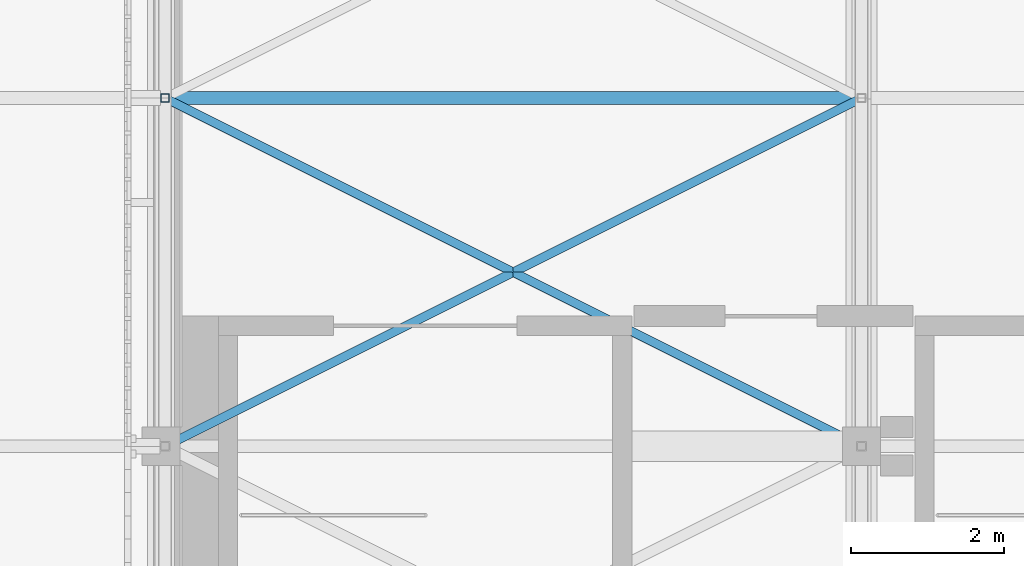
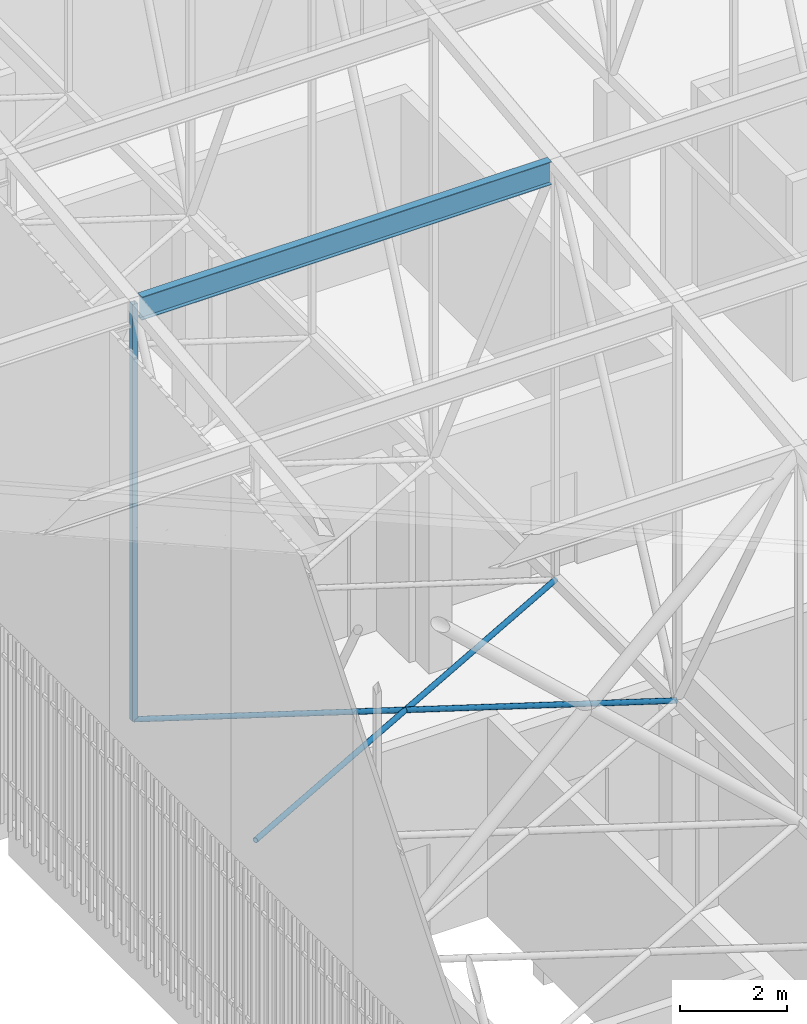
# One storey, part 14 of 500: 4 members.
"""IFC4 building model written with IfcOpenShell, lengths in metres."""

from ifc_helpers import new_model, si_unit, direction, frame, origin, origin_2d, place, context, subcontext, project, spatial, hollow_rectangle, hollow_circle, i_section, extrude, material, material_profile, profile_set, type_object, element, save


model = new_model("IFC4")

# Units and contexts
model_context = context("Model", 3, precision=1e-05, world=origin(), true_north=direction((0.0, 1.0)))
body_context = subcontext(model_context, "Body", "Model", "MODEL_VIEW")
ifc_project = project(units=[si_unit("LENGTHUNIT", "METRE"), si_unit("AREAUNIT", "SQUARE_METRE"), si_unit("VOLUMEUNIT", "CUBIC_METRE"), si_unit("PLANEANGLEUNIT", "RADIAN"), si_unit("MASSUNIT", "GRAM", prefix="KILO")], contexts=[model_context])

# Site, building, storey
site_placement = place(None, origin())
site = spatial("IfcSite", under=ifc_project, at=site_placement, CompositionType="ELEMENT")
building_placement = place(site_placement, origin())
building = spatial("IfcBuilding", under=site, at=building_placement, Name="Shirokan Park Arena", CompositionType="ELEMENT")
storey_placement = place(building_placement, frame((0.0, 0.0, 29.1201171875)))
storey = spatial("IfcBuildingStorey", under=building, at=storey_placement, Name="L06", CompositionType="ELEMENT", Elevation=29.1201171875)

# Members
ifc_material_1 = material(Name="Steel ASTM A500 Grade C", Category="steel")
ifc_material_profile_1 = material_profile(ifc_material_1, hollow_circle(Radius=0.056884765625, WallThickness=0.006103515625, at=origin_2d()), Name="HSS114.3X6")
ifc_profile_set_1 = profile_set([ifc_material_profile_1], Name="Steel ASTM A500 Grade C")
member_type_1 = type_object("IfcMemberType", Name="Plan bracing HSS114.3X6", PredefinedType="BRACE", material=ifc_profile_set_1)
for number, where, z_axis, x_axis, name in (
    (1, (0.0, 9.10009765625, 4.677001953125), (0.8944367893, 0.447194398385, 0.0), (-0.447194398385, 0.8944367893, 0.0), "Plan bracing bay 1 panel 5 A"),
    (2, (9.10009765625, 9.10009765625, 4.677001953125), (-0.8944367893, 0.447194398385, 0.0), (-0.447194398385, -0.8944367893, 0.0), "Plan bracing bay 1 panel 5 B"),
):
    element("IfcMember", number, at=place(storey_placement, frame(where, z_axis=z_axis, x_axis=x_axis)), inside=storey, type_object=member_type_1, Name=name, PredefinedType="BRACE", context=body_context, shape_type="SweptSolid", body=[
        extrude(hollow_circle(Radius=0.056884765625, WallThickness=0.006103515625, at=origin_2d()), origin(), (0.0, 0.0, 1.0), 10.174072265625),
    ])
ifc_material_2 = material(Name="Steel ASTM A992", Category="steel")
ifc_material_profile_2 = material_profile(ifc_material_2, i_section(OverallWidth=0.166015625, OverallDepth=0.528076171875, WebThickness=0.009765625, FlangeThickness=0.013671875, at=origin_2d()), Name="W530X74")
ifc_profile_set_2 = profile_set([ifc_material_profile_2], Name="Steel ASTM A992")
member_type_2 = type_object("IfcMemberType", Name="Purlin W530X74", PredefinedType="PURLIN", material=ifc_profile_set_2)
member_1_placement = place(storey_placement, frame((0.126953125, 13.64990234375, 14.0458984375), z_axis=(1.0, 0.0, 0.0), x_axis=(0.0, 1.0, 0.0)))
element("IfcMember", 3, at=member_1_placement, inside=storey, type_object=member_type_2, Name="Purlin 6 bay 1", PredefinedType="PURLIN", context=body_context, shape_type="SweptSolid", body=[
    extrude(i_section(OverallWidth=0.166015625, OverallDepth=0.528076171875, WebThickness=0.009765625, FlangeThickness=0.013671875, at=origin_2d()), origin(), (0.0, 0.0, 1.0), 8.845947265625),
])
ifc_material_profile_3 = material_profile(ifc_material_1, hollow_rectangle(XDim=0.114013671875, YDim=0.114013671875, WallThickness=0.00634765625, at=origin_2d()), Name="HSS114.3X114.3X6.4")
ifc_profile_set_3 = profile_set([ifc_material_profile_3], Name="Steel ASTM A500 Grade C")
member_type_3 = type_object("IfcMemberType", Name="Truss post HSS114.3X114.3X6.4", PredefinedType="POST", material=ifc_profile_set_3)
member_2_placement = place(storey_placement, frame((0.0, 13.64990234375, 4.677001953125), z_axis=(0.0, 0.0, 1.0), x_axis=(1.0, 0.0, 0.0)))
element("IfcMember", 4, at=member_2_placement, inside=storey, type_object=member_type_3, Name="Truss T01 post 6", PredefinedType="POST", context=body_context, shape_type="SweptSolid", body=[
    extrude(hollow_rectangle(XDim=0.114013671875, YDim=0.114013671875, WallThickness=0.00634765625, at=origin_2d()), origin(), (0.0, 0.0, 1.0), 9.505859375),
])

save(model, "model.ifc")
